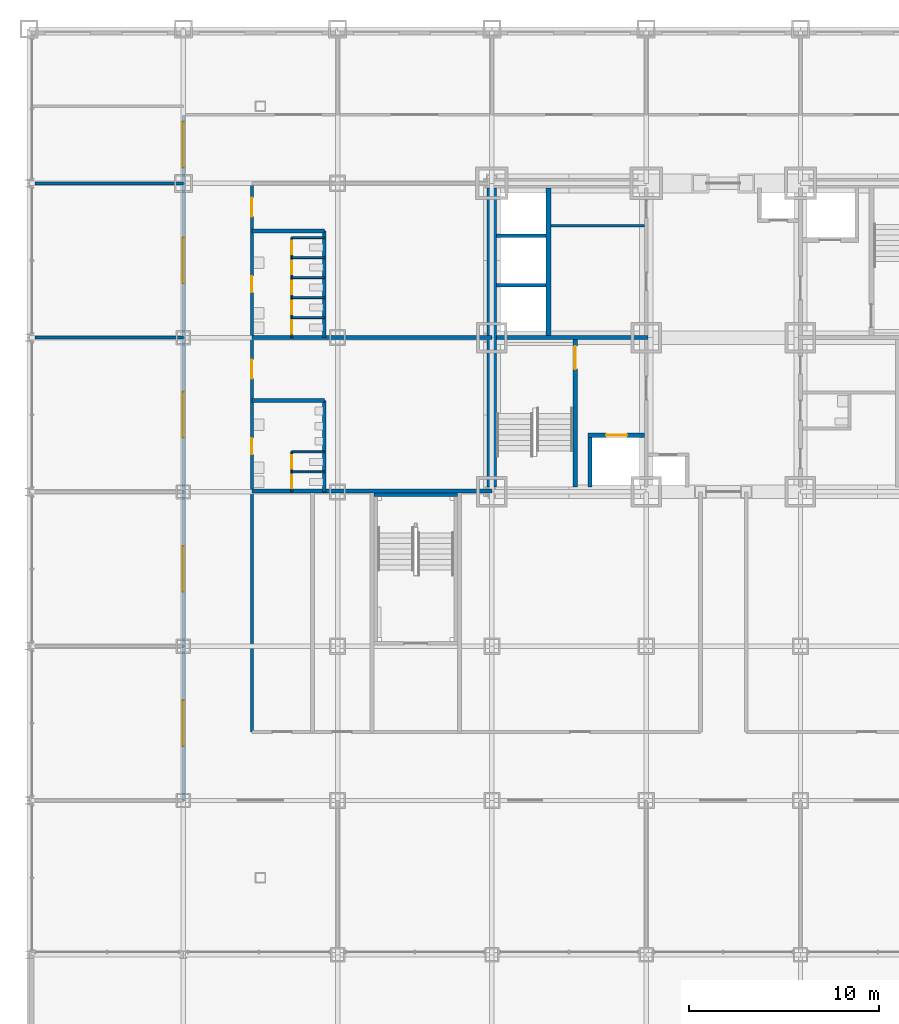
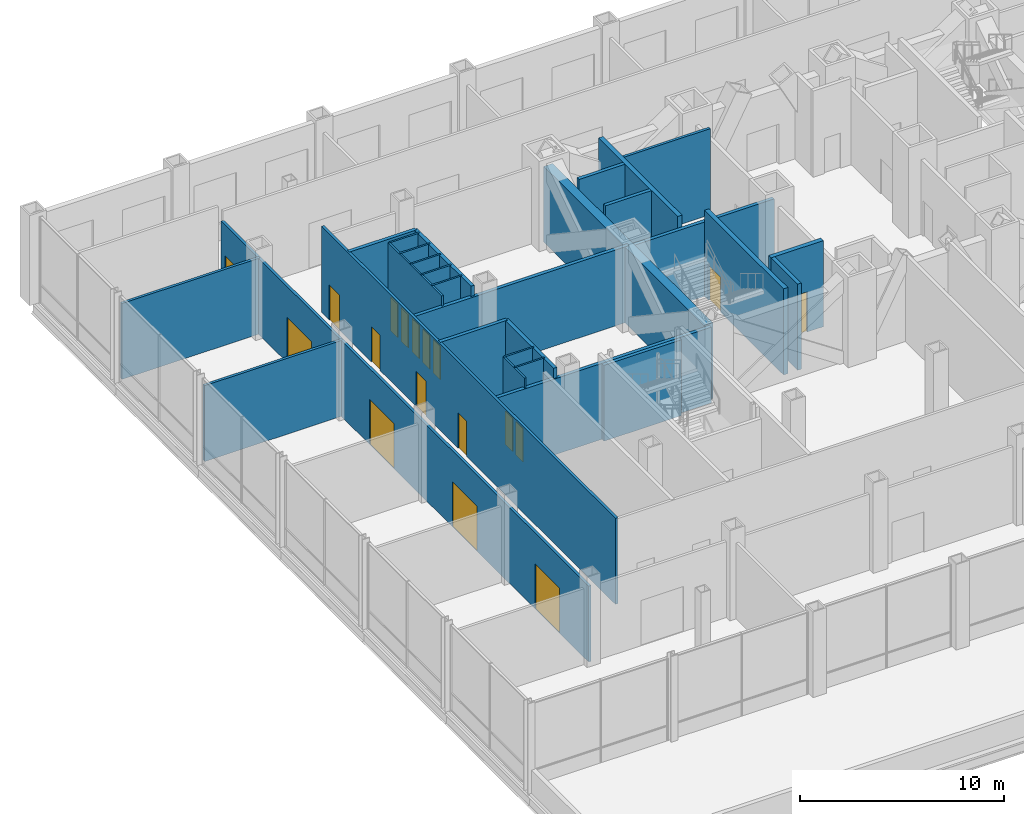
# One storey, part 22 of 29: 29 walls, 18 doors, 18 openings.
"""IFC4 building model written with IfcOpenShell, lengths in metres."""

from ifc_helpers import new_model, si_unit, direction, frame, frame_2d, origin, place, context, subcontext, project, spatial, rectangle, extrude, material, layer, layer_set, type_object, element, fill, save


model = new_model("IFC4")

# Units and contexts
model_context = context("Model", 3, precision=1e-05, world=origin(), true_north=direction((0.0, 1.0)))
body_context = subcontext(model_context, "Body", "Model", "MODEL_VIEW")
ifc_project = project(units=[si_unit("LENGTHUNIT", "METRE"), si_unit("AREAUNIT", "SQUARE_METRE"), si_unit("VOLUMEUNIT", "CUBIC_METRE"), si_unit("PLANEANGLEUNIT", "RADIAN"), si_unit("MASSUNIT", "GRAM", prefix="KILO")], contexts=[model_context])

# Site, building, storey
site_placement = place(None, origin())
site = spatial("IfcSite", under=ifc_project, at=site_placement, CompositionType="ELEMENT")
building_placement = place(site_placement, origin())
building = spatial("IfcBuilding", under=site, at=building_placement, Name="Kopane Lantern Tower", CompositionType="ELEMENT")
storey_placement = place(building_placement, frame((0.0, 0.0, 11.39990234375)))
storey = spatial("IfcBuildingStorey", under=building, at=storey_placement, Name="L02", CompositionType="ELEMENT", Elevation=11.39990234375)

# Wall, openings, doors
ifc_material_1 = material(Name="Moisture-resistant board on steel studs", Category="steel")
ifc_layer_1 = layer(ifc_material_1, 0.10009765625)
ifc_layer_set_1 = layer_set([ifc_layer_1], Name="BATHROOM WALL 100")
wall_type_1 = type_object("IfcWallType", Name="BATHROOM WALL 100", PredefinedType="PARTITIONING", material=ifc_layer_set_1)
wall_1_placement = place(storey_placement, frame((5.699951171875, 24.300048828125, 0.0), z_axis=(0.0, 0.0, 1.0), x_axis=(0.0, 1.0, 0.0)))
wall_1 = element("IfcWall", 1, at=wall_1_placement, inside=storey, type_object=wall_type_1, Name="Bathroom Wall 100 L02", PredefinedType="PARTITIONING", context=body_context, shape_type="SweptSolid", body=[
    extrude(rectangle(XDim=2.099853515625, YDim=0.10009765625, at=frame_2d((1.0498046875, 0.0))), origin(), (0.0, 0.0, 1.0), 5.150146484375),
])
opening_1_placement = place(wall_1_placement, frame((0.199951171875, 0.0, 0.0)))
opening_1 = element("IfcOpeningElement", 2, at=opening_1_placement, cuts=wall_1, Name="Opening L02-039", PredefinedType="OPENING", context=body_context, shape_type="SweptSolid", body=[
    extrude(rectangle(XDim=0.699951171875, YDim=2.0, at=frame_2d((0.35009765625, 1.0))), frame((0.0, 0.06005859375, 0.0), z_axis=(0.0, -1.0, 0.0), x_axis=(1.0, 0.0, 0.0)), (0.0, 0.0, 1.0), 0.1201171875),
])
opening_2_placement = place(wall_1_placement, frame((1.22509765625, 0.0, 0.0)))
opening_2 = element("IfcOpeningElement", 3, at=opening_2_placement, cuts=wall_1, Name="Opening L02-040", PredefinedType="OPENING", context=body_context, shape_type="SweptSolid", body=[
    extrude(rectangle(XDim=0.699951171875, YDim=2.0, at=frame_2d((0.35009765625, 1.0))), frame((0.0, 0.06005859375, 0.0), z_axis=(0.0, -1.0, 0.0), x_axis=(1.0, 0.0, 0.0)), (0.0, 0.0, 1.0), 0.1201171875),
])
ifc_material_2 = material(Name="Timber door set", Category="wood")
door_type_1 = type_object("IfcDoorType", Name="DOOR D13 700x2000 WC CUBICLE", OperationType="SINGLE_SWING_LEFT", PredefinedType="DOOR", material=ifc_material_2)
door_1_placement = place(opening_1_placement, origin())
door_1 = element("IfcDoor", 4, at=door_1_placement, inside=storey, type_object=door_type_1, Name="Door L02-039", OperationType="SINGLE_SWING_LEFT", OverallHeight=2.0, OverallWidth=0.699951171875, PredefinedType="DOOR", context=body_context, shape_type="SweptSolid", body=[
    extrude(rectangle(XDim=0.699951171875, YDim=2.0, at=frame_2d((0.35009765625, 1.0))), frame((0.0, 0.02490234375, 0.0), z_axis=(0.0, -1.0, 0.0), x_axis=(1.0, 0.0, 0.0)), (0.0, 0.0, 1.0), 0.050048828125),
])
fill(opening_1, door_1)
door_2_placement = place(opening_2_placement, origin())
door_2 = element("IfcDoor", 5, at=door_2_placement, inside=storey, type_object=door_type_1, Name="Door L02-040", OperationType="SINGLE_SWING_RIGHT", OverallHeight=2.0, OverallWidth=0.699951171875, PredefinedType="DOOR", context=body_context, shape_type="SweptSolid", body=[
    extrude(rectangle(XDim=0.699951171875, YDim=2.0, at=frame_2d((0.35009765625, 1.0))), frame((0.0, 0.02490234375, 0.0), z_axis=(0.0, -1.0, 0.0), x_axis=(1.0, 0.0, 0.0)), (0.0, 0.0, 1.0), 0.050048828125),
])
fill(opening_2, door_2)

# Walls
for number, where, z_axis, x_axis, name in (
    (6, (5.699951171875, 25.35009765625, 0.0), (0.0, 0.0, 1.0), (1.0, 0.0, 0.0), "Bathroom Wall 100 L02"),
    (7, (5.699951171875, 26.39990234375, 0.0), (0.0, 0.0, 1.0), (1.0, 0.0, 0.0), "Bathroom Wall 100 L02"),
):
    element("IfcWall", number, at=place(storey_placement, frame(where, z_axis=z_axis, x_axis=x_axis)), inside=storey, type_object=wall_type_1, Name=name, PredefinedType="PARTITIONING", context=body_context, shape_type="SweptSolid", body=[
        extrude(rectangle(XDim=1.699951171875, YDim=0.10009765625, at=frame_2d((0.85009765625, 0.0))), origin(), (0.0, 0.0, 1.0), 5.150146484375),
    ])

# Wall, openings, doors
wall_2_placement = place(storey_placement, frame((5.699951171875, 32.39990234375, 0.0), z_axis=(0.0, 0.0, 1.0), x_axis=(0.0, 1.0, 0.0)))
wall_2 = element("IfcWall", 8, at=wall_2_placement, inside=storey, type_object=wall_type_1, Name="Bathroom Wall 100 L02", PredefinedType="PARTITIONING", context=body_context, shape_type="SweptSolid", body=[
    extrude(rectangle(XDim=5.25, YDim=0.10009765625, at=frame_2d((2.625, 0.0))), origin(), (0.0, 0.0, 1.0), 5.150146484375),
])
opening_3_placement = place(wall_2_placement, frame((0.199951171875, 0.0, 0.0)))
opening_3 = element("IfcOpeningElement", 9, at=opening_3_placement, cuts=wall_2, Name="Opening L02-041", PredefinedType="OPENING", context=body_context, shape_type="SweptSolid", body=[
    extrude(rectangle(XDim=0.699951171875, YDim=2.0, at=frame_2d((0.35009765625, 1.0))), frame((0.0, 0.06005859375, 0.0), z_axis=(0.0, -1.0, 0.0), x_axis=(1.0, 0.0, 0.0)), (0.0, 0.0, 1.0), 0.1201171875),
])
opening_4_placement = place(wall_2_placement, frame((1.22509765625, 0.0, 0.0)))
opening_4 = element("IfcOpeningElement", 10, at=opening_4_placement, cuts=wall_2, Name="Opening L02-042", PredefinedType="OPENING", context=body_context, shape_type="SweptSolid", body=[
    extrude(rectangle(XDim=0.699951171875, YDim=2.0, at=frame_2d((0.35009765625, 1.0))), frame((0.0, 0.06005859375, 0.0), z_axis=(0.0, -1.0, 0.0), x_axis=(1.0, 0.0, 0.0)), (0.0, 0.0, 1.0), 0.1201171875),
])
opening_5_placement = place(wall_2_placement, frame((2.27490234375, 0.0, 0.0)))
opening_5 = element("IfcOpeningElement", 11, at=opening_5_placement, cuts=wall_2, Name="Opening L02-043", PredefinedType="OPENING", context=body_context, shape_type="SweptSolid", body=[
    extrude(rectangle(XDim=0.699951171875, YDim=2.0, at=frame_2d((0.35009765625, 1.0))), frame((0.0, 0.06005859375, 0.0), z_axis=(0.0, -1.0, 0.0), x_axis=(1.0, 0.0, 0.0)), (0.0, 0.0, 1.0), 0.1201171875),
])
opening_6_placement = place(wall_2_placement, frame((3.324951171875, 0.0, 0.0)))
opening_6 = element("IfcOpeningElement", 12, at=opening_6_placement, cuts=wall_2, Name="Opening L02-044", PredefinedType="OPENING", context=body_context, shape_type="SweptSolid", body=[
    extrude(rectangle(XDim=0.699951171875, YDim=2.0, at=frame_2d((0.35009765625, 1.0))), frame((0.0, 0.06005859375, 0.0), z_axis=(0.0, -1.0, 0.0), x_axis=(1.0, 0.0, 0.0)), (0.0, 0.0, 1.0), 0.1201171875),
])
opening_7_placement = place(wall_2_placement, frame((4.375, 0.0, 0.0)))
opening_7 = element("IfcOpeningElement", 13, at=opening_7_placement, cuts=wall_2, Name="Opening L02-045", PredefinedType="OPENING", context=body_context, shape_type="SweptSolid", body=[
    extrude(rectangle(XDim=0.699951171875, YDim=2.0, at=frame_2d((0.35009765625, 1.0))), frame((0.0, 0.06005859375, 0.0), z_axis=(0.0, -1.0, 0.0), x_axis=(1.0, 0.0, 0.0)), (0.0, 0.0, 1.0), 0.1201171875),
])
door_3_placement = place(opening_3_placement, origin())
door_3 = element("IfcDoor", 14, at=door_3_placement, inside=storey, type_object=door_type_1, Name="Door L02-041", OperationType="SINGLE_SWING_LEFT", OverallHeight=2.0, OverallWidth=0.699951171875, PredefinedType="DOOR", context=body_context, shape_type="SweptSolid", body=[
    extrude(rectangle(XDim=0.699951171875, YDim=2.0, at=frame_2d((0.35009765625, 1.0))), frame((0.0, 0.02490234375, 0.0), z_axis=(0.0, -1.0, 0.0), x_axis=(1.0, 0.0, 0.0)), (0.0, 0.0, 1.0), 0.050048828125),
])
fill(opening_3, door_3)
door_4_placement = place(opening_4_placement, origin())
door_4 = element("IfcDoor", 15, at=door_4_placement, inside=storey, type_object=door_type_1, Name="Door L02-042", OperationType="SINGLE_SWING_RIGHT", OverallHeight=2.0, OverallWidth=0.699951171875, PredefinedType="DOOR", context=body_context, shape_type="SweptSolid", body=[
    extrude(rectangle(XDim=0.699951171875, YDim=2.0, at=frame_2d((0.35009765625, 1.0))), frame((0.0, 0.02490234375, 0.0), z_axis=(0.0, -1.0, 0.0), x_axis=(1.0, 0.0, 0.0)), (0.0, 0.0, 1.0), 0.050048828125),
])
fill(opening_4, door_4)
door_5_placement = place(opening_5_placement, origin())
door_5 = element("IfcDoor", 16, at=door_5_placement, inside=storey, type_object=door_type_1, Name="Door L02-043", OperationType="SINGLE_SWING_LEFT", OverallHeight=2.0, OverallWidth=0.699951171875, PredefinedType="DOOR", context=body_context, shape_type="SweptSolid", body=[
    extrude(rectangle(XDim=0.699951171875, YDim=2.0, at=frame_2d((0.35009765625, 1.0))), frame((0.0, 0.02490234375, 0.0), z_axis=(0.0, -1.0, 0.0), x_axis=(1.0, 0.0, 0.0)), (0.0, 0.0, 1.0), 0.050048828125),
])
fill(opening_5, door_5)
door_6_placement = place(opening_6_placement, origin())
door_6 = element("IfcDoor", 17, at=door_6_placement, inside=storey, type_object=door_type_1, Name="Door L02-044", OperationType="SINGLE_SWING_RIGHT", OverallHeight=2.0, OverallWidth=0.699951171875, PredefinedType="DOOR", context=body_context, shape_type="SweptSolid", body=[
    extrude(rectangle(XDim=0.699951171875, YDim=2.0, at=frame_2d((0.35009765625, 1.0))), frame((0.0, 0.02490234375, 0.0), z_axis=(0.0, -1.0, 0.0), x_axis=(1.0, 0.0, 0.0)), (0.0, 0.0, 1.0), 0.050048828125),
])
fill(opening_6, door_6)
door_7_placement = place(opening_7_placement, origin())
door_7 = element("IfcDoor", 18, at=door_7_placement, inside=storey, type_object=door_type_1, Name="Door L02-045", OperationType="SINGLE_SWING_LEFT", OverallHeight=2.0, OverallWidth=0.699951171875, PredefinedType="DOOR", context=body_context, shape_type="SweptSolid", body=[
    extrude(rectangle(XDim=0.699951171875, YDim=2.0, at=frame_2d((0.35009765625, 1.0))), frame((0.0, 0.02490234375, 0.0), z_axis=(0.0, -1.0, 0.0), x_axis=(1.0, 0.0, 0.0)), (0.0, 0.0, 1.0), 0.050048828125),
])
fill(opening_7, door_7)

# Walls
for number, where, z_axis, x_axis, name in (
    (19, (5.699951171875, 33.449951171875, 0.0), (0.0, 0.0, 1.0), (1.0, 0.0, 0.0), "Bathroom Wall 100 L02"),
    (20, (5.699951171875, 34.5, 0.0), (0.0, 0.0, 1.0), (1.0, 0.0, 0.0), "Bathroom Wall 100 L02"),
    (21, (5.699951171875, 35.550048828125, 0.0), (0.0, 0.0, 1.0), (1.0, 0.0, 0.0), "Bathroom Wall 100 L02"),
    (22, (5.699951171875, 36.60009765625, 0.0), (0.0, 0.0, 1.0), (1.0, 0.0, 0.0), "Bathroom Wall 100 L02"),
    (23, (5.699951171875, 37.64990234375, 0.0), (0.0, 0.0, 1.0), (1.0, 0.0, 0.0), "Bathroom Wall 100 L02"),
):
    element("IfcWall", number, at=place(storey_placement, frame(where, z_axis=z_axis, x_axis=x_axis)), inside=storey, type_object=wall_type_1, Name=name, PredefinedType="PARTITIONING", context=body_context, shape_type="SweptSolid", body=[
        extrude(rectangle(XDim=1.699951171875, YDim=0.10009765625, at=frame_2d((0.85009765625, 0.0))), origin(), (0.0, 0.0, 1.0), 5.150146484375),
    ])
ifc_material_3 = material(Name="Gypsum shaft wall EI 120", Category="gypsum")
ifc_layer_2 = layer(ifc_material_3, 0.5)
ifc_layer_set_2 = layer_set([ifc_layer_2], Name="CORE PERIMETER WALL 500 EI 120")
wall_type_2 = type_object("IfcWallType", Name="CORE PERIMETER WALL 500 EI 120", PredefinedType="SOLIDWALL", material=ifc_layer_set_2)
wall_3_placement = place(storey_placement, frame((16.199951171875, 24.550048828125, 0.0), z_axis=(0.0, 0.0, 1.0), x_axis=(0.0, 1.0, 0.0)))
element("IfcWall", 24, at=wall_3_placement, inside=storey, type_object=wall_type_2, Name="Core shaft wall L02 PW", PredefinedType="SOLIDWALL", context=body_context, shape_type="SweptSolid", body=[
    extrude(rectangle(XDim=15.699951171875, YDim=0.5, at=frame_2d((7.85009765625, 0.0))), origin(), (0.0, 0.0, 1.0), 4.537841796875),
])
ifc_material_4 = material(Name="Gypsum partition EI 60", Category="gypsum")
ifc_layer_3 = layer(ifc_material_4, 0.14990234375)
ifc_layer_set_3 = layer_set([ifc_layer_3], Name="CORE ROOM PARTITION 150 EI 60")
wall_type_3 = type_object("IfcWallType", Name="CORE ROOM PARTITION 150 EI 60", PredefinedType="PARTITIONING", material=ifc_layer_set_3)
wall_4_placement = place(storey_placement, frame((19.300048828125, 38.27490234375, 0.0), z_axis=(0.0, 0.0, 1.0), x_axis=(1.0, 0.0, 0.0)))
element("IfcWall", 25, at=wall_4_placement, inside=storey, type_object=wall_type_3, Name="Core room partition L02 WL1", PredefinedType="PARTITIONING", context=body_context, shape_type="SweptSolid", body=[
    extrude(rectangle(XDim=4.89990234375, YDim=0.14990234375, at=frame_2d((2.449951171875, 0.0))), origin(), (0.0, 0.0, 1.0), 5.150146484375),
])

# Wall, opening, door
ifc_material_5 = material(Name="Gypsum shaft wall EI 120", Category="gypsum")
ifc_layer_4 = layer(ifc_material_5, 0.25)
ifc_layer_set_4 = layer_set([ifc_layer_4], Name="CORE SHAFT WALL 250 EI 120")
wall_type_4 = type_object("IfcWallType", Name="CORE SHAFT WALL 250 EI 120", PredefinedType="SOLIDWALL", material=ifc_layer_set_4)
wall_5_placement = place(storey_placement, frame((20.574951171875, 24.550048828125, 0.0), z_axis=(0.0, 0.0, 1.0), x_axis=(0.0, 1.0, 0.0)))
wall_5 = element("IfcWall", 26, at=wall_5_placement, inside=storey, type_object=wall_type_4, Name="Core shaft wall L02 XST1", PredefinedType="SOLIDWALL", context=body_context, shape_type="SweptSolid", body=[
    extrude(rectangle(XDim=7.75, YDim=0.25, at=frame_2d((3.875, 0.0))), origin(), (0.0, 0.0, 1.0), 5.150146484375),
])
opening_8_placement = place(wall_5_placement, frame((6.199951171875, 0.0, 0.0)))
opening_8 = element("IfcOpeningElement", 27, at=opening_8_placement, cuts=wall_5, Name="Opening 02.SD1", PredefinedType="OPENING", context=body_context, shape_type="SweptSolid", body=[
    extrude(rectangle(XDim=1.199951171875, YDim=2.10009765625, at=frame_2d((0.60009765625, 1.050048828125))), frame((0.0, 0.135009765625, 0.0), z_axis=(0.0, -1.0, 0.0), x_axis=(1.0, 0.0, 0.0)), (0.0, 0.0, 1.0), 0.27001953125),
])
ifc_material_6 = material(Name="Steel door set", Category="steel")
door_type_2 = type_object("IfcDoorType", Name="STAIR DOOR 1200x2100 FD60S", OperationType="SINGLE_SWING_LEFT", PredefinedType="DOOR", material=ifc_material_6)
door_8_placement = place(opening_8_placement, origin())
door_8 = element("IfcDoor", 28, at=door_8_placement, inside=storey, type_object=door_type_2, Name="Stair door ST1 L02", OperationType="SINGLE_SWING_LEFT", OverallHeight=2.10009765625, OverallWidth=1.199951171875, PredefinedType="DOOR", context=body_context, shape_type="SweptSolid", body=[
    extrude(rectangle(XDim=1.199951171875, YDim=2.10009765625, at=frame_2d((0.60009765625, 1.050048828125))), frame((0.0, 0.02490234375, 0.0), z_axis=(0.0, -1.0, 0.0), x_axis=(1.0, 0.0, 0.0)), (0.0, 0.0, 1.0), 0.050048828125),
])
fill(opening_8, door_8)

wall_6_placement = place(storey_placement, frame((21.25, 27.27490234375, 0.0), z_axis=(0.0, 0.0, 1.0), x_axis=(1.0, 0.0, 0.0)))
wall_6 = element("IfcWall", 29, at=wall_6_placement, inside=storey, type_object=wall_type_4, Name="Core shaft wall L02 YLF1", PredefinedType="SOLIDWALL", context=body_context, shape_type="SweptSolid", body=[
    extrude(rectangle(XDim=2.949951171875, YDim=0.25, at=frame_2d((1.47509765625, 0.0))), origin(), (0.0, 0.0, 1.0), 5.150146484375),
])
opening_9_placement = place(wall_6_placement, frame((0.949951171875, 0.0, 0.0)))
opening_9 = element("IfcOpeningElement", 30, at=opening_9_placement, cuts=wall_6, Name="Opening 02.LD-LF1", PredefinedType="OPENING", context=body_context, shape_type="SweptSolid", body=[
    extrude(rectangle(XDim=1.10009765625, YDim=2.39990234375, at=frame_2d((0.550048828125, 1.199951171875))), frame((0.0, 0.135009765625, 0.0), z_axis=(0.0, -1.0, 0.0), x_axis=(1.0, 0.0, 0.0)), (0.0, 0.0, 1.0), 0.27001953125),
])
ifc_material_7 = material(Name="Steel door set", Category="steel")
door_type_3 = type_object("IfcDoorType", Name="LIFT LANDING DOOR 1100x2400 FD60", OperationType="DOUBLE_DOOR_SLIDING", PredefinedType="DOOR", material=ifc_material_7)
door_9_placement = place(opening_9_placement, origin())
door_9 = element("IfcDoor", 31, at=door_9_placement, inside=storey, type_object=door_type_3, Name="Landing door LF1 L02", OperationType="DOUBLE_DOOR_SLIDING", OverallHeight=2.39990234375, OverallWidth=1.10009765625, PredefinedType="DOOR", context=body_context, shape_type="SweptSolid", body=[
    extrude(rectangle(XDim=1.10009765625, YDim=2.39990234375, at=frame_2d((0.550048828125, 1.199951171875))), frame((0.0, 0.02490234375, 0.0), z_axis=(0.0, -1.0, 0.0), x_axis=(1.0, 0.0, 0.0)), (0.0, 0.0, 1.0), 0.050048828125),
])
fill(opening_9, door_9)

# Wall
wall_7_placement = place(storey_placement, frame((19.175048828125, 32.5, 0.0), z_axis=(0.0, 0.0, 1.0), x_axis=(0.0, 1.0, 0.0)))
element("IfcWall", 32, at=wall_7_placement, inside=storey, type_object=wall_type_4, Name="Core shaft wall L02 XLH", PredefinedType="SOLIDWALL", context=body_context, shape_type="SweptSolid", body=[
    extrude(rectangle(XDim=7.75, YDim=0.25, at=frame_2d((3.875, 0.0))), origin(), (0.0, 0.0, 1.0), 5.150146484375),
])

# Wall, openings, doors
ifc_material_8 = material(Name="Gypsum board on steel studs", Category="steel")
ifc_layer_5 = layer(ifc_material_8, 0.14990234375)
ifc_layer_set_5 = layer_set([ifc_layer_5], Name="CORRIDOR WALL 150 EI 60")
wall_type_5 = type_object("IfcWallType", Name="CORRIDOR WALL 150 EI 60", PredefinedType="PARTITIONING", material=ifc_layer_set_5)
wall_8_placement = place(storey_placement, frame((0.0, 8.10009765625, 0.0), z_axis=(0.0, 0.0, 1.0), x_axis=(0.0, 1.0, 0.0)))
wall_8 = element("IfcWall", 33, at=wall_8_placement, inside=storey, type_object=wall_type_5, Name="Corridor Wall 150 Ei 60 L02", PredefinedType="PARTITIONING", context=body_context, shape_type="SweptSolid", body=[
    extrude(rectangle(XDim=36.0, YDim=0.14990234375, at=frame_2d((18.0, 0.0))), origin(), (0.0, 0.0, 1.0), 4.537841796875),
])
opening_10_placement = place(wall_8_placement, frame((2.85009765625, 0.0, 0.0)))
opening_10 = element("IfcOpeningElement", 34, at=opening_10_placement, cuts=wall_8, Name="Opening L02-025", PredefinedType="OPENING", context=body_context, shape_type="SweptSolid", body=[
    extrude(rectangle(XDim=2.39990234375, YDim=2.699951171875, at=frame_2d((1.199951171875, 1.35009765625))), frame((0.0, 0.0849609375, 0.0), z_axis=(0.0, -1.0, 0.0), x_axis=(1.0, 0.0, 0.0)), (0.0, 0.0, 1.0), 0.169921875),
])
opening_11_placement = place(wall_8_placement, frame((10.949951171875, 0.0, 0.0)))
opening_11 = element("IfcOpeningElement", 35, at=opening_11_placement, cuts=wall_8, Name="Opening L02-026", PredefinedType="OPENING", context=body_context, shape_type="SweptSolid", body=[
    extrude(rectangle(XDim=2.39990234375, YDim=2.699951171875, at=frame_2d((1.199951171875, 1.35009765625))), frame((0.0, 0.0849609375, 0.0), z_axis=(0.0, -1.0, 0.0), x_axis=(1.0, 0.0, 0.0)), (0.0, 0.0, 1.0), 0.169921875),
])
opening_12_placement = place(wall_8_placement, frame((19.050048828125, 0.0, 0.0)))
opening_12 = element("IfcOpeningElement", 36, at=opening_12_placement, cuts=wall_8, Name="Opening L02-027", PredefinedType="OPENING", context=body_context, shape_type="SweptSolid", body=[
    extrude(rectangle(XDim=2.39990234375, YDim=2.699951171875, at=frame_2d((1.199951171875, 1.35009765625))), frame((0.0, 0.0849609375, 0.0), z_axis=(0.0, -1.0, 0.0), x_axis=(1.0, 0.0, 0.0)), (0.0, 0.0, 1.0), 0.169921875),
])
opening_13_placement = place(wall_8_placement, frame((27.14990234375, 0.0, 0.0)))
opening_13 = element("IfcOpeningElement", 37, at=opening_13_placement, cuts=wall_8, Name="Opening L02-028", PredefinedType="OPENING", context=body_context, shape_type="SweptSolid", body=[
    extrude(rectangle(XDim=2.39990234375, YDim=2.699951171875, at=frame_2d((1.199951171875, 1.35009765625))), frame((0.0, 0.0849609375, 0.0), z_axis=(0.0, -1.0, 0.0), x_axis=(1.0, 0.0, 0.0)), (0.0, 0.0, 1.0), 0.169921875),
])
opening_14_placement = place(wall_8_placement, frame((33.22509765625, 0.0, 0.0)))
opening_14 = element("IfcOpeningElement", 38, at=opening_14_placement, cuts=wall_8, Name="Opening L02-029", PredefinedType="OPENING", context=body_context, shape_type="SweptSolid", body=[
    extrude(rectangle(XDim=2.39990234375, YDim=2.699951171875, at=frame_2d((1.199951171875, 1.35009765625))), frame((0.0, 0.0849609375, 0.0), z_axis=(0.0, -1.0, 0.0), x_axis=(1.0, 0.0, 0.0)), (0.0, 0.0, 1.0), 0.169921875),
])
ifc_material_9 = material(Name="Timber door set", Category="wood")
door_type_4 = type_object("IfcDoorType", Name="DOOR D7 2400x2700 SHOPFRONT", OperationType="SINGLE_SWING_LEFT", PredefinedType="DOOR", material=ifc_material_9)
door_10_placement = place(opening_10_placement, origin())
door_10 = element("IfcDoor", 39, at=door_10_placement, inside=storey, type_object=door_type_4, Name="Door L02-025", OperationType="DOUBLE_DOOR_SINGLE_SWING", OverallHeight=2.699951171875, OverallWidth=2.39990234375, PredefinedType="DOOR", context=body_context, shape_type="SweptSolid", body=[
    extrude(rectangle(XDim=2.39990234375, YDim=2.699951171875, at=frame_2d((1.199951171875, 1.35009765625))), frame((0.0, 0.02490234375, 0.0), z_axis=(0.0, -1.0, 0.0), x_axis=(1.0, 0.0, 0.0)), (0.0, 0.0, 1.0), 0.050048828125),
])
fill(opening_10, door_10)
door_11_placement = place(opening_11_placement, origin())
door_11 = element("IfcDoor", 40, at=door_11_placement, inside=storey, type_object=door_type_4, Name="Door L02-026", OperationType="DOUBLE_DOOR_SINGLE_SWING", OverallHeight=2.699951171875, OverallWidth=2.39990234375, PredefinedType="DOOR", context=body_context, shape_type="SweptSolid", body=[
    extrude(rectangle(XDim=2.39990234375, YDim=2.699951171875, at=frame_2d((1.199951171875, 1.35009765625))), frame((0.0, 0.02490234375, 0.0), z_axis=(0.0, -1.0, 0.0), x_axis=(1.0, 0.0, 0.0)), (0.0, 0.0, 1.0), 0.050048828125),
])
fill(opening_11, door_11)
door_12_placement = place(opening_12_placement, origin())
door_12 = element("IfcDoor", 41, at=door_12_placement, inside=storey, type_object=door_type_4, Name="Door L02-027", OperationType="DOUBLE_DOOR_SINGLE_SWING", OverallHeight=2.699951171875, OverallWidth=2.39990234375, PredefinedType="DOOR", context=body_context, shape_type="SweptSolid", body=[
    extrude(rectangle(XDim=2.39990234375, YDim=2.699951171875, at=frame_2d((1.199951171875, 1.35009765625))), frame((0.0, 0.02490234375, 0.0), z_axis=(0.0, -1.0, 0.0), x_axis=(1.0, 0.0, 0.0)), (0.0, 0.0, 1.0), 0.050048828125),
])
fill(opening_12, door_12)
door_13_placement = place(opening_13_placement, origin())
door_13 = element("IfcDoor", 42, at=door_13_placement, inside=storey, type_object=door_type_4, Name="Door L02-028", OperationType="DOUBLE_DOOR_SINGLE_SWING", OverallHeight=2.699951171875, OverallWidth=2.39990234375, PredefinedType="DOOR", context=body_context, shape_type="SweptSolid", body=[
    extrude(rectangle(XDim=2.39990234375, YDim=2.699951171875, at=frame_2d((1.199951171875, 1.35009765625))), frame((0.0, 0.02490234375, 0.0), z_axis=(0.0, -1.0, 0.0), x_axis=(1.0, 0.0, 0.0)), (0.0, 0.0, 1.0), 0.050048828125),
])
fill(opening_13, door_13)
door_14_placement = place(opening_14_placement, origin())
door_14 = element("IfcDoor", 43, at=door_14_placement, inside=storey, type_object=door_type_4, Name="Door L02-029", OperationType="DOUBLE_DOOR_SINGLE_SWING", OverallHeight=2.699951171875, OverallWidth=2.39990234375, PredefinedType="DOOR", context=body_context, shape_type="SweptSolid", body=[
    extrude(rectangle(XDim=2.39990234375, YDim=2.699951171875, at=frame_2d((1.199951171875, 1.35009765625))), frame((0.0, 0.02490234375, 0.0), z_axis=(0.0, -1.0, 0.0), x_axis=(1.0, 0.0, 0.0)), (0.0, 0.0, 1.0), 0.050048828125),
])
fill(opening_14, door_14)

wall_9_placement = place(storey_placement, frame((3.60009765625, 40.5, 0.0), z_axis=(0.0, 0.0, 1.0), x_axis=(0.0, -1.0, 0.0)))
wall_9 = element("IfcWall", 44, at=wall_9_placement, inside=storey, type_object=wall_type_5, Name="Corridor Wall 150 Ei 60 L02", PredefinedType="PARTITIONING", context=body_context, shape_type="SweptSolid", body=[
    extrude(rectangle(XDim=28.800048828125, YDim=0.14990234375, at=frame_2d((14.39990234375, 0.0))), origin(), (0.0, 0.0, 1.0), 5.150146484375),
])
opening_15_placement = place(wall_9_placement, frame((13.375, 0.0, 0.0)))
opening_15 = element("IfcOpeningElement", 45, at=opening_15_placement, cuts=wall_9, Name="Opening L02-001", PredefinedType="OPENING", context=body_context, shape_type="SweptSolid", body=[
    extrude(rectangle(XDim=0.85009765625, YDim=2.10009765625, at=frame_2d((0.425048828125, 1.050048828125))), frame((0.0, 0.0849609375, 0.0), z_axis=(0.0, -1.0, 0.0), x_axis=(1.0, 0.0, 0.0)), (0.0, 0.0, 1.0), 0.169921875),
])
opening_16_placement = place(wall_9_placement, frame((9.25, 0.0, 0.0)))
opening_16 = element("IfcOpeningElement", 46, at=opening_16_placement, cuts=wall_9, Name="Opening L02-002", PredefinedType="OPENING", context=body_context, shape_type="SweptSolid", body=[
    extrude(rectangle(XDim=1.0, YDim=2.10009765625, at=frame_2d((0.5, 1.050048828125))), frame((0.0, 0.0849609375, 0.0), z_axis=(0.0, -1.0, 0.0), x_axis=(1.0, 0.0, 0.0)), (0.0, 0.0, 1.0), 0.169921875),
])
opening_17_placement = place(wall_9_placement, frame((4.875, 0.0, 0.0)))
opening_17 = element("IfcOpeningElement", 47, at=opening_17_placement, cuts=wall_9, Name="Opening L02-003", PredefinedType="OPENING", context=body_context, shape_type="SweptSolid", body=[
    extrude(rectangle(XDim=0.85009765625, YDim=2.10009765625, at=frame_2d((0.425048828125, 1.050048828125))), frame((0.0, 0.0849609375, 0.0), z_axis=(0.0, -1.0, 0.0), x_axis=(1.0, 0.0, 0.0)), (0.0, 0.0, 1.0), 0.169921875),
])
opening_18_placement = place(wall_9_placement, frame((0.75, 0.0, 0.0)))
opening_18 = element("IfcOpeningElement", 48, at=opening_18_placement, cuts=wall_9, Name="Opening L02-004", PredefinedType="OPENING", context=body_context, shape_type="SweptSolid", body=[
    extrude(rectangle(XDim=1.0, YDim=2.10009765625, at=frame_2d((0.5, 1.050048828125))), frame((0.0, 0.0849609375, 0.0), z_axis=(0.0, -1.0, 0.0), x_axis=(1.0, 0.0, 0.0)), (0.0, 0.0, 1.0), 0.169921875),
])
ifc_material_10 = material(Name="Timber door set", Category="wood")
door_type_5 = type_object("IfcDoorType", Name="DOOR D4 850x2100", OperationType="SINGLE_SWING_LEFT", PredefinedType="DOOR", material=ifc_material_10)
door_15_placement = place(opening_15_placement, origin())
door_15 = element("IfcDoor", 49, at=door_15_placement, inside=storey, type_object=door_type_5, Name="Door L02-001", OperationType="SINGLE_SWING_RIGHT", OverallHeight=2.10009765625, OverallWidth=0.85009765625, PredefinedType="DOOR", context=body_context, shape_type="SweptSolid", body=[
    extrude(rectangle(XDim=0.85009765625, YDim=2.10009765625, at=frame_2d((0.425048828125, 1.050048828125))), frame((0.0, 0.02490234375, 0.0), z_axis=(0.0, -1.0, 0.0), x_axis=(1.0, 0.0, 0.0)), (0.0, 0.0, 1.0), 0.050048828125),
])
fill(opening_15, door_15)
door_16_placement = place(opening_17_placement, origin())
door_16 = element("IfcDoor", 50, at=door_16_placement, inside=storey, type_object=door_type_5, Name="Door L02-003", OperationType="SINGLE_SWING_RIGHT", OverallHeight=2.10009765625, OverallWidth=0.85009765625, PredefinedType="DOOR", context=body_context, shape_type="SweptSolid", body=[
    extrude(rectangle(XDim=0.85009765625, YDim=2.10009765625, at=frame_2d((0.425048828125, 1.050048828125))), frame((0.0, 0.02490234375, 0.0), z_axis=(0.0, -1.0, 0.0), x_axis=(1.0, 0.0, 0.0)), (0.0, 0.0, 1.0), 0.050048828125),
])
fill(opening_17, door_16)
ifc_material_11 = material(Name="Steel door set", Category="steel")
door_type_6 = type_object("IfcDoorType", Name="DOOR D5 1000x2100 FD60", OperationType="SINGLE_SWING_LEFT", PredefinedType="DOOR", material=ifc_material_11)
door_17_placement = place(opening_16_placement, origin())
door_17 = element("IfcDoor", 51, at=door_17_placement, inside=storey, type_object=door_type_6, Name="Door L02-002", OperationType="SINGLE_SWING_LEFT", OverallHeight=2.10009765625, OverallWidth=1.0, PredefinedType="DOOR", context=body_context, shape_type="SweptSolid", body=[
    extrude(rectangle(XDim=1.0, YDim=2.10009765625, at=frame_2d((0.5, 1.050048828125))), frame((0.0, 0.02490234375, 0.0), z_axis=(0.0, -1.0, 0.0), x_axis=(1.0, 0.0, 0.0)), (0.0, 0.0, 1.0), 0.050048828125),
])
fill(opening_16, door_17)
door_18_placement = place(opening_18_placement, origin())
door_18 = element("IfcDoor", 52, at=door_18_placement, inside=storey, type_object=door_type_6, Name="Door L02-004", OperationType="SINGLE_SWING_LEFT", OverallHeight=2.10009765625, OverallWidth=1.0, PredefinedType="DOOR", context=body_context, shape_type="SweptSolid", body=[
    extrude(rectangle(XDim=1.0, YDim=2.10009765625, at=frame_2d((0.5, 1.050048828125))), frame((0.0, 0.02490234375, 0.0), z_axis=(0.0, -1.0, 0.0), x_axis=(1.0, 0.0, 0.0)), (0.0, 0.0, 1.0), 0.050048828125),
])
fill(opening_18, door_18)

# Walls
ifc_material_12 = material(Name="Gypsum board on steel studs", Category="steel")
ifc_layer_6 = layer(ifc_material_12, 0.14990234375)
ifc_layer_set_6 = layer_set([ifc_layer_6], Name="DEMISING WALL 150 EI 60")
wall_type_6 = type_object("IfcWallType", Name="DEMISING WALL 150 EI 60", PredefinedType="PARTITIONING", material=ifc_layer_set_6)
for number, where, z_axis, x_axis, name in (
    (53, (0.0, 32.39990234375, 0.0), (0.0, 0.0, 1.0), (-1.0, 0.0, 0.0), "Demising Wall 150 Ei 60 L02"),
    (54, (0.0, 40.5, 0.0), (0.0, 0.0, 1.0), (-1.0, 0.0, 0.0), "Demising Wall 150 Ei 60 L02"),
):
    element("IfcWall", number, at=place(storey_placement, frame(where, z_axis=z_axis, x_axis=x_axis)), inside=storey, type_object=wall_type_6, Name=name, PredefinedType="PARTITIONING", context=body_context, shape_type="SweptSolid", body=[
        extrude(rectangle(XDim=7.800048828125, YDim=0.14990234375, at=frame_2d((3.89990234375, 0.0))), origin(), (0.0, 0.0, 1.0), 4.537841796875),
    ])
ifc_material_13 = material(Name="Concrete masonry", Category="masonry")
ifc_layer_7 = layer(ifc_material_13, 0.199951171875)
ifc_layer_set_7 = layer_set([ifc_layer_7], Name="PLANT ROOM WALL 200 EI 120")
wall_type_7 = type_object("IfcWallType", Name="PLANT ROOM WALL 200 EI 120", PredefinedType="SOLIDWALL", material=ifc_layer_set_7)
wall_10_placement = place(storey_placement, frame((3.60009765625, 32.39990234375, 0.0), z_axis=(0.0, 0.0, 1.0), x_axis=(1.0, 0.0, 0.0)))
element("IfcWall", 55, at=wall_10_placement, inside=storey, type_object=wall_type_7, Name="Plant Room Wall 200 Ei 120 L02", PredefinedType="SOLIDWALL", context=body_context, shape_type="SweptSolid", body=[
    extrude(rectangle(XDim=12.599853515625, YDim=0.199951171875, at=frame_2d((6.2998046875, 0.0))), origin(), (0.0, 0.0, 1.0), 4.537841796875),
])
wall_11_placement = place(storey_placement, frame((3.60009765625, 29.10009765625, 0.0), z_axis=(0.0, 0.0, 1.0), x_axis=(1.0, 0.0, 0.0)))
element("IfcWall", 56, at=wall_11_placement, inside=storey, type_object=wall_type_7, Name="Plant Room Wall 200 Ei 120 L02", PredefinedType="SOLIDWALL", context=body_context, shape_type="SweptSolid", body=[
    extrude(rectangle(XDim=3.7998046875, YDim=0.199951171875, at=frame_2d((1.89990234375, 0.0))), origin(), (0.0, 0.0, 1.0), 5.150146484375),
])
wall_12_placement = place(storey_placement, frame((7.39990234375, 24.300048828125, 0.0), z_axis=(0.0, 0.0, 1.0), x_axis=(0.0, 1.0, 0.0)))
element("IfcWall", 57, at=wall_12_placement, inside=storey, type_object=wall_type_7, Name="Plant Room Wall 200 Ei 120 L02", PredefinedType="SOLIDWALL", context=body_context, shape_type="SweptSolid", body=[
    extrude(rectangle(XDim=4.800048828125, YDim=0.199951171875, at=frame_2d((2.39990234375, 0.0))), origin(), (0.0, 0.0, 1.0), 5.150146484375),
])
wall_13_placement = place(storey_placement, frame((3.60009765625, 38.0, 0.0), z_axis=(0.0, 0.0, 1.0), x_axis=(1.0, 0.0, 0.0)))
element("IfcWall", 58, at=wall_13_placement, inside=storey, type_object=wall_type_7, Name="Plant Room Wall 200 Ei 120 L02", PredefinedType="SOLIDWALL", context=body_context, shape_type="SweptSolid", body=[
    extrude(rectangle(XDim=3.7998046875, YDim=0.199951171875, at=frame_2d((1.89990234375, 0.0))), origin(), (0.0, 0.0, 1.0), 5.150146484375),
])
wall_14_placement = place(storey_placement, frame((7.39990234375, 32.39990234375, 0.0), z_axis=(0.0, 0.0, 1.0), x_axis=(0.0, 1.0, 0.0)))
element("IfcWall", 59, at=wall_14_placement, inside=storey, type_object=wall_type_7, Name="Plant Room Wall 200 Ei 120 L02", PredefinedType="SOLIDWALL", context=body_context, shape_type="SweptSolid", body=[
    extrude(rectangle(XDim=5.60009765625, YDim=0.199951171875, at=frame_2d((2.800048828125, 0.0))), origin(), (0.0, 0.0, 1.0), 5.150146484375),
])
wall_15_placement = place(storey_placement, frame((3.60009765625, 24.35009765625, 0.0), z_axis=(0.0, 0.0, 1.0), x_axis=(1.0, 0.0, 0.0)))
element("IfcWall", 60, at=wall_15_placement, inside=storey, type_object=wall_type_7, Name="Plant Room Wall 200 Ei 120 L02", PredefinedType="SOLIDWALL", context=body_context, shape_type="SweptSolid", body=[
    extrude(rectangle(XDim=12.599853515625, YDim=0.199951171875, at=frame_2d((6.2998046875, 0.0))), origin(), (0.0, 0.0, 1.0), 4.537841796875),
])
ifc_material_14 = material(Name="Gypsum shaft wall EI 120", Category="gypsum")
ifc_layer_8 = layer(ifc_material_14, 0.199951171875)
ifc_layer_set_8 = layer_set([ifc_layer_8], Name="SHAFT WALL 200 EI 120")
wall_type_8 = type_object("IfcWallType", Name="SHAFT WALL 200 EI 120", PredefinedType="SOLIDWALL", material=ifc_layer_set_8)
wall_16_placement = place(storey_placement, frame((16.449951171875, 32.39990234375, 0.0), z_axis=(0.0, 0.0, 1.0), x_axis=(1.0, 0.0, 0.0)))
element("IfcWall", 61, at=wall_16_placement, inside=storey, type_object=wall_type_8, Name="Core shaft wall L02 Y324W", PredefinedType="SOLIDWALL", context=body_context, shape_type="SweptSolid", body=[
    extrude(rectangle(XDim=7.949951171875, YDim=0.199951171875, at=frame_2d((3.97509765625, 0.0))), origin(), (0.0, 0.0, 1.0), 4.4501953125),
])
wall_17_placement = place(storey_placement, frame((21.35009765625, 24.550048828125, 0.0), z_axis=(0.0, 0.0, 1.0), x_axis=(0.0, 1.0, 0.0)))
element("IfcWall", 62, at=wall_17_placement, inside=storey, type_object=wall_type_8, Name="Core shaft wall L02 XLF1", PredefinedType="SOLIDWALL", context=body_context, shape_type="SweptSolid", body=[
    extrude(rectangle(XDim=2.599853515625, YDim=0.199951171875, at=frame_2d((1.2998046875, 0.0))), origin(), (0.0, 0.0, 1.0), 5.150146484375),
])
for number, where, z_axis, x_axis, name in (
    (63, (16.449951171875, 35.14990234375, 0.0), (0.0, 0.0, 1.0), (1.0, 0.0, 0.0), "Core shaft wall L02 YLH12"),
    (64, (16.449951171875, 37.75, 0.0), (0.0, 0.0, 1.0), (1.0, 0.0, 0.0), "Core shaft wall L02 YLH23"),
):
    element("IfcWall", number, at=place(storey_placement, frame(where, z_axis=z_axis, x_axis=x_axis)), inside=storey, type_object=wall_type_8, Name=name, PredefinedType="SOLIDWALL", context=body_context, shape_type="SweptSolid", body=[
        extrude(rectangle(XDim=2.60009765625, YDim=0.199951171875, at=frame_2d((1.300048828125, 0.0))), origin(), (0.0, 0.0, 1.0), 5.150146484375),
    ])
wall_18_placement = place(storey_placement, frame((10.0, 24.14990234375, 0.0), z_axis=(0.0, 0.0, 1.0), x_axis=(1.0, 0.0, 0.0)))
element("IfcWall", 65, at=wall_18_placement, inside=storey, type_object=wall_type_8, Name="Stair enclosure wall ST3 L02", PredefinedType="SOLIDWALL", context=body_context, shape_type="SweptSolid", body=[
    extrude(rectangle(XDim=4.39990234375, YDim=0.199951171875, at=frame_2d((2.199951171875, 0.0))), origin(), (0.0, 0.0, 1.0), 4.537841796875),
])

save(model, "model.ifc")
